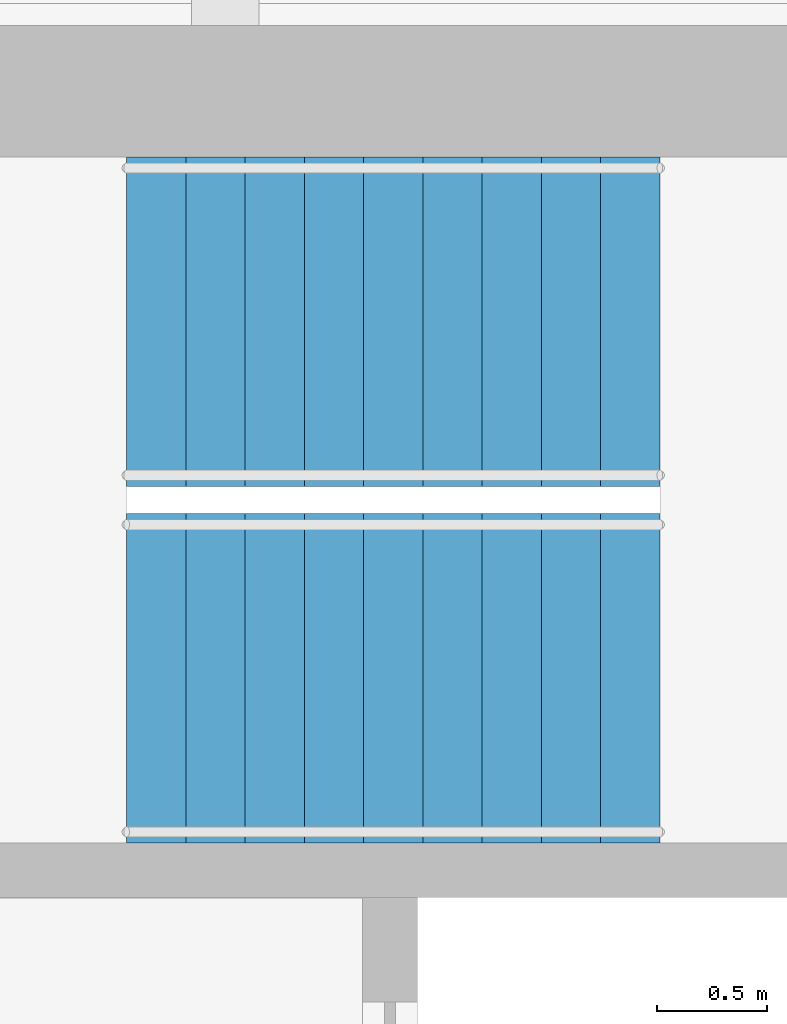
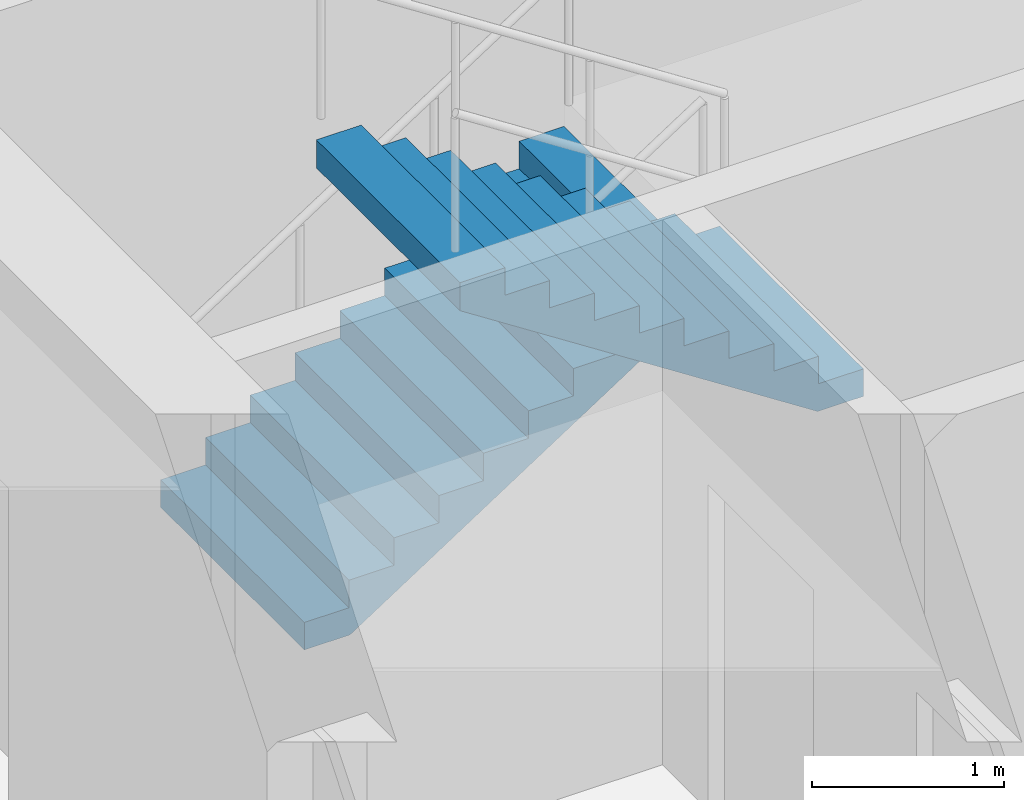
# One storey, part 16 of 21: 2 stair flights, 1 element without a shape of its own.
"""IFC4 building model written with IfcOpenShell, lengths in metres."""

from ifc_helpers import new_model, si_unit, direction, frame, origin, place, context, subcontext, project, spatial, polyline, outline, extrude, material, type_object, element, aggregate, save


model = new_model("IFC4")

# Units and contexts
model_context = context("Model", 3, precision=1e-05, world=origin(), true_north=direction((0.0, 1.0)))
body_context = subcontext(model_context, "Body", "Model", "MODEL_VIEW")
ifc_project = project(units=[si_unit("LENGTHUNIT", "METRE"), si_unit("AREAUNIT", "SQUARE_METRE"), si_unit("VOLUMEUNIT", "CUBIC_METRE"), si_unit("PLANEANGLEUNIT", "RADIAN"), si_unit("MASSUNIT", "GRAM", prefix="KILO")], contexts=[model_context])

# Site, building, storey
site_placement = place(None, origin())
site = spatial("IfcSite", under=ifc_project, at=site_placement, CompositionType="ELEMENT")
building_placement = place(site_placement, origin())
building = spatial("IfcBuilding", under=site, at=building_placement, Name="Msasa Ring Tower", CompositionType="ELEMENT")
storey_placement = place(building_placement, frame((0.0, 0.0, 44.0)))
storey = spatial("IfcBuildingStorey", under=building, at=storey_placement, Name="L10", CompositionType="ELEMENT", Elevation=44.0)

# Stair, stair flights
ifc_material_1 = material(Name="Concrete C40/50", Category="concrete")
stair_type = type_object("IfcStairType", Name="STC CORE STAIR 20 RISERS 175", PredefinedType="HALF_TURN_STAIR", material=ifc_material_1)
stair_placement = place(storey_placement, origin())
stair = element("IfcStair", 1, at=stair_placement, inside=storey, type_object=stair_type, Name="Core stair SEB L10", PredefinedType="HALF_TURN_STAIR")
ifc_material_2 = material(Name="Concrete C40/50", Category="concrete")
stair_flight_type = type_object("IfcStairFlightType", Name="ST12 CORE STAIR FLIGHT 1500 10 RISERS 175", PredefinedType="STRAIGHT", material=ifc_material_2)
stair_flight_1_placement = place(storey_placement, frame((10.800048828125, 5.699951171875, 0.0), z_axis=(0.0, 0.0, 1.0), x_axis=(1.0, 0.0, 0.0)))
stair_flight_1 = element("IfcStairFlight", 2, at=stair_flight_1_placement, type_object=stair_flight_type, Name="SEB flight 1", NumberOfRisers=10, NumberOfTreads=9, PredefinedType="STRAIGHT", RiserHeight=0.175, TreadLength=0.27, context=body_context, shape_type="SweptSolid", body=[
    extrude(outline(polyline([(0.0, 0.0), (0.0, 0.175048828125), (0.27001953125, 0.175048828125), (0.27001953125, 0.35009765625), (0.5400390625, 0.35009765625), (0.5400390625, 0.52490234375), (0.81005859375, 0.52490234375), (0.81005859375, 0.699951171875), (1.080078125, 0.699951171875), (1.080078125, 0.875), (1.35009765625, 0.875), (1.35009765625, 1.050048828125), (1.6201171875, 1.050048828125), (1.6201171875, 1.22509765625), (1.889892578125, 1.22509765625), (1.889892578125, 1.39990234375), (2.159912109375, 1.39990234375), (2.159912109375, 1.574951171875), (2.429931640625, 1.574951171875), (2.429931640625, 1.75), (2.429931640625, 1.396484375), (0.275634765625, 0.0), (0.0, 0.0)])), frame((0.0, 0.75, 0.0), z_axis=(0.0, -1.0, 0.0), x_axis=(1.0, 0.0, 0.0)), (0.0, 0.0, 1.0), 1.5),
])
stair_flight_2_placement = place(storey_placement, frame((13.22998046875, 4.074951171875, 1.75), z_axis=(0.0, 0.0, 1.0), x_axis=(-1.0, 0.0, 0.0)))
stair_flight_2 = element("IfcStairFlight", 3, at=stair_flight_2_placement, type_object=stair_flight_type, Name="SEB flight 2", NumberOfRisers=10, NumberOfTreads=9, PredefinedType="STRAIGHT", RiserHeight=0.175, TreadLength=0.27, context=body_context, shape_type="SweptSolid", body=[
    extrude(outline(polyline([(0.0, 0.0), (0.0, 0.175048828125), (0.27001953125, 0.175048828125), (0.27001953125, 0.35009765625), (0.5400390625, 0.35009765625), (0.5400390625, 0.52490234375), (0.81005859375, 0.52490234375), (0.81005859375, 0.699951171875), (1.080078125, 0.699951171875), (1.080078125, 0.875), (1.35009765625, 0.875), (1.35009765625, 1.050048828125), (1.6201171875, 1.050048828125), (1.6201171875, 1.22509765625), (1.889892578125, 1.22509765625), (1.889892578125, 1.39990234375), (2.159912109375, 1.39990234375), (2.159912109375, 1.574951171875), (2.429931640625, 1.574951171875), (2.429931640625, 1.75), (2.429931640625, 1.396484375), (0.275634765625, 0.0), (0.0, 0.0)])), frame((0.0, 0.75, 0.0), z_axis=(0.0, -1.0, 0.0), x_axis=(1.0, 0.0, 0.0)), (0.0, 0.0, 1.0), 1.5),
])
aggregate(stair, [stair_flight_1, stair_flight_2])

save(model, "model.ifc")
